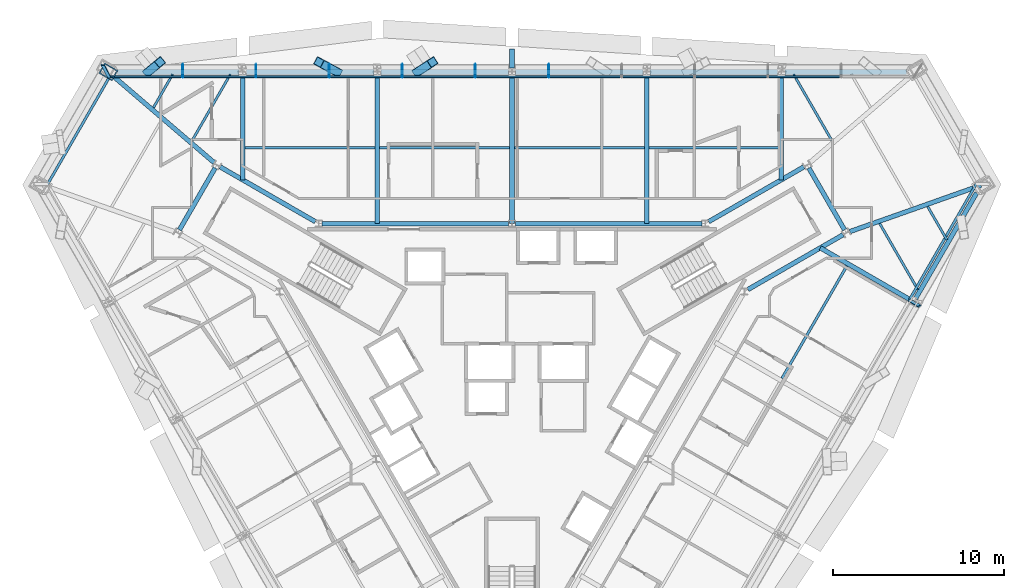
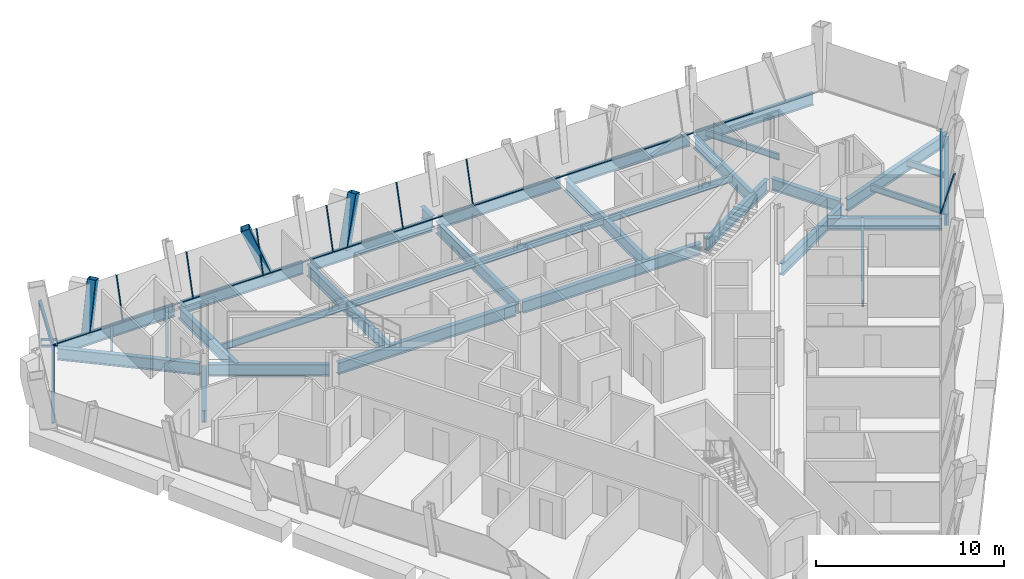
# One storey, part 4 of 13: 33 beams, 24 members, 3 elements without a shape of their own.
"""IFC4 building model written with IfcOpenShell, lengths in metres."""

from ifc_helpers import new_model, si_unit, direction, frame, origin, origin_2d, place, context, subcontext, project, spatial, rectangle, hollow_rectangle, i_section, extrude, material, material_profile, profile_set, type_object, element, aggregate, save


model = new_model("IFC4")

# Units and contexts
model_context = context("Model", 3, precision=1e-05, world=origin(), true_north=direction((0.0, 1.0)))
body_context = subcontext(model_context, "Body", "Model", "MODEL_VIEW")
ifc_project = project(units=[si_unit("LENGTHUNIT", "METRE"), si_unit("AREAUNIT", "SQUARE_METRE"), si_unit("VOLUMEUNIT", "CUBIC_METRE"), si_unit("PLANEANGLEUNIT", "RADIAN"), si_unit("MASSUNIT", "GRAM", prefix="KILO")], contexts=[model_context])

# Site, building, storey
site_placement = place(None, origin())
site = spatial("IfcSite", under=ifc_project, at=site_placement, CompositionType="ELEMENT")
building_placement = place(site_placement, origin())
building = spatial("IfcBuilding", under=site, at=building_placement, Name="Verrane Prism Tower", CompositionType="ELEMENT")
storey_placement = place(building_placement, frame((0.0, 0.0, 100.0)))
storey = spatial("IfcBuildingStorey", under=building, at=storey_placement, Name="L23", CompositionType="ELEMENT", Elevation=100.0)

# Beams
ifc_material_1 = material(Name="Steel A992", Category="steel")
ifc_material_profile_1 = material_profile(ifc_material_1, i_section(OverallWidth=0.2666015625, OverallDepth=0.7568359375, WebThickness=0.013916015625, FlangeThickness=0.019287109375, FilletRadius=0.0166015625, at=origin_2d()), Name="W30x108")
ifc_profile_set_1 = profile_set([ifc_material_profile_1], Name="Steel A992")
beam_type_1 = type_object("IfcBeamType", Name="Core ring girder W30x108", PredefinedType="BEAM", material=ifc_profile_set_1)
beam_1_placement = place(storey_placement, frame((13.830810546875, 5.335693359375, -0.62841796875), z_axis=(0.866455532004, 0.499254254924, 0.0), x_axis=(-0.499254254924, 0.866455532004, 0.0)))
element("IfcBeam", 1, at=beam_1_placement, inside=storey, type_object=beam_type_1, Name="Core ring girder L23", PredefinedType="BEAM", context=body_context, shape_type="SweptSolid", body=[
    extrude(i_section(OverallWidth=0.2666015625, OverallDepth=0.7568359375, WebThickness=0.013916015625, FlangeThickness=0.019287109375, FilletRadius=0.0166015625, at=origin_2d()), origin(), (0.0, 0.0, 1.0), 6.441162109375),
])
beam_2_placement = place(storey_placement, frame((19.4970703125, 8.838134765625, -0.62841796875), z_axis=(-0.500367003619, 0.865813410435, 0.0), x_axis=(-0.865813410435, -0.500367003619, 0.0)))
element("IfcBeam", 2, at=beam_2_placement, inside=storey, type_object=beam_type_1, Name="Core ring girder L23", PredefinedType="BEAM", context=body_context, shape_type="SweptSolid", body=[
    extrude(i_section(OverallWidth=0.2666015625, OverallDepth=0.7568359375, WebThickness=0.013916015625, FlangeThickness=0.019287109375, FilletRadius=0.0166015625, at=origin_2d()), origin(), (0.0, 0.0, 1.0), 4.185302734375),
])
beam_3_placement = place(storey_placement, frame((17.11181640625, 12.531494140625, -0.62841796875), z_axis=(-0.866455532004, -0.499254254924, 0.0), x_axis=(0.499254254924, -0.866455532004, 0.0)))
element("IfcBeam", 3, at=beam_3_placement, inside=storey, type_object=beam_type_1, Name="Core ring girder L23", PredefinedType="BEAM", context=body_context, shape_type="SweptSolid", body=[
    extrude(i_section(OverallWidth=0.2666015625, OverallDepth=0.7568359375, WebThickness=0.013916015625, FlangeThickness=0.019287109375, FilletRadius=0.0166015625, at=origin_2d()), origin(), (0.0, 0.0, 1.0), 6.441162109375),
])
for number, where, z_axis, x_axis, name in (
    (4, (11.12939453125, 9.199951171875, -0.62841796875), (-1.0, 0.0, 0.0), (0.0, -1.0, 0.0), "Core ring girder L23"),
    (5, (-0.20068359375, 9.199951171875, -0.62841796875), (-1.0, 0.0, 0.0), (0.0, -1.0, 0.0), "Core ring girder L23"),
):
    element("IfcBeam", number, at=place(storey_placement, frame(where, z_axis=z_axis, x_axis=x_axis)), inside=storey, type_object=beam_type_1, Name=name, PredefinedType="BEAM", context=body_context, shape_type="SweptSolid", body=[
        extrude(i_section(OverallWidth=0.2666015625, OverallDepth=0.7568359375, WebThickness=0.013916015625, FlangeThickness=0.019287109375, FilletRadius=0.0166015625, at=origin_2d()), origin(), (0.0, 0.0, 1.0), 10.9287109375),
    ])
beam_4_placement = place(storey_placement, frame((-11.53076171875, 9.315673828125, -0.62841796875), z_axis=(-0.866455532004, 0.499254254924, 0.0), x_axis=(-0.499254254924, -0.866455532004, 0.0)))
element("IfcBeam", 6, at=beam_4_placement, inside=storey, type_object=beam_type_1, Name="Core ring girder L23", PredefinedType="BEAM", context=body_context, shape_type="SweptSolid", body=[
    extrude(i_section(OverallWidth=0.2666015625, OverallDepth=0.7568359375, WebThickness=0.013916015625, FlangeThickness=0.019287109375, FilletRadius=0.0166015625, at=origin_2d()), origin(), (0.0, 0.0, 1.0), 6.441162109375),
])
beam_5_placement = place(storey_placement, frame((-17.40283203125, 12.4619140625, -0.62841796875), z_axis=(-0.500367003619, -0.865813410435, 0.0), x_axis=(0.865813410435, -0.500367003619, 0.0)))
element("IfcBeam", 7, at=beam_5_placement, inside=storey, type_object=beam_type_1, Name="Core ring girder L23", PredefinedType="BEAM", context=body_context, shape_type="SweptSolid", body=[
    extrude(i_section(OverallWidth=0.2666015625, OverallDepth=0.7568359375, WebThickness=0.013916015625, FlangeThickness=0.019287109375, FilletRadius=0.0166015625, at=origin_2d()), origin(), (0.0, 0.0, 1.0), 4.185302734375),
])
ifc_material_2 = material(Name="Steel A992", Category="steel")
ifc_material_profile_2 = material_profile(ifc_material_2, i_section(OverallWidth=0.2666015625, OverallDepth=0.76708984375, WebThickness=0.014892578125, FlangeThickness=0.023681640625, FilletRadius=0.0166015625, at=origin_2d()), Name="W30x124")
ifc_profile_set_2 = profile_set([ifc_material_profile_2], Name="Steel A992")
beam_type_2 = type_object("IfcBeamType", Name="Corner girder W30x124", PredefinedType="BEAM", material=ifc_profile_set_2)
beam_6_placement = place(storey_placement, frame((27.4970703125, 11.448974609375, -0.603515625), z_axis=(-0.942926196669, -0.333001783233, 0.0), x_axis=(0.333001783233, -0.942926196669, 0.0)))
element("IfcBeam", 8, at=beam_6_placement, inside=storey, type_object=beam_type_2, Name="Corner girder L23", PredefinedType="BEAM", context=body_context, shape_type="SweptSolid", body=[
    extrude(i_section(OverallWidth=0.2666015625, OverallDepth=0.76708984375, WebThickness=0.014892578125, FlangeThickness=0.023681640625, FilletRadius=0.0166015625, at=origin_2d()), origin(), (0.0, 0.0, 1.0), 8.154052734375),
])
beam_7_placement = place(storey_placement, frame((-23.3125, 17.7919921875, -0.603515625), z_axis=(0.759350631669, -0.65068165656, 0.0), x_axis=(0.65068165656, 0.759350631669, 0.0)))
element("IfcBeam", 9, at=beam_7_placement, inside=storey, type_object=beam_type_2, Name="Corner girder L23", PredefinedType="BEAM", context=body_context, shape_type="SweptSolid", body=[
    extrude(i_section(OverallWidth=0.2666015625, OverallDepth=0.76708984375, WebThickness=0.014892578125, FlangeThickness=0.023681640625, FilletRadius=0.0166015625, at=origin_2d()), origin(), (0.0, 0.0, 1.0), 7.697021484375),
])

# Members
ifc_material_3 = material(Name="Steel A1085 Grade A", Category="steel")
ifc_material_profile_3 = material_profile(ifc_material_3, hollow_rectangle(XDim=0.508056640625, YDim=0.508056640625, WallThickness=0.025390625, InnerFilletRadius=0.0126953125, OuterFilletRadius=0.0380859375, at=origin_2d()), Name="HSS20x20x1")
ifc_profile_set_3 = profile_set([ifc_material_profile_3], Name="Steel A1085 Grade A")
member_type_1 = type_object("IfcMemberType", Name="Facade brace HSS20x20x1", PredefinedType="BRACE", material=ifc_profile_set_3)
member_1_placement = place(storey_placement, frame((-5.548095703125, 18.090087890625, -0.24267578125), z_axis=(0.278984551116, 0.182189307791, 0.942854536164), x_axis=(-0.546779044707, 0.837276941202, 0.0)))
element("IfcMember", 10, at=member_1_placement, inside=storey, type_object=member_type_1, Name="Facade brace N3 L23", PredefinedType="BRACE", context=body_context, shape_type="SweptSolid", body=[
    extrude(hollow_rectangle(XDim=0.508056640625, YDim=0.508056640625, WallThickness=0.025390625, InnerFilletRadius=0.0126953125, OuterFilletRadius=0.0380859375, at=origin_2d()), origin(), (0.0, 0.0, 1.0), 3.190673828125),
])
member_2_placement = place(storey_placement, frame((-10.24951171875, 18.090087890625, -0.24267578125), z_axis=(-0.329916361987, 0.179099602802, 0.926864891108), x_axis=(-0.477096284825, -0.87885103118, 0.0)))
element("IfcMember", 11, at=member_2_placement, inside=storey, type_object=member_type_1, Name="Facade brace N4 L23", PredefinedType="BRACE", context=body_context, shape_type="SweptSolid", body=[
    extrude(hollow_rectangle(XDim=0.508056640625, YDim=0.508056640625, WallThickness=0.025390625, InnerFilletRadius=0.0126953125, OuterFilletRadius=0.0380859375, at=origin_2d()), origin(), (0.0, 0.0, 1.0), 3.24560546875),
])
member_3_placement = place(storey_placement, frame((-21.339599609375, 18.090087890625, -0.24267578125), z_axis=(0.22293136948, 0.18494759259, 0.957129036493), x_axis=(-0.638494749561, 0.769626178598, 0.0)))
element("IfcMember", 12, at=member_3_placement, inside=storey, type_object=member_type_1, Name="Facade brace N5 L23", PredefinedType="BRACE", context=body_context, shape_type="SweptSolid", body=[
    extrude(hollow_rectangle(XDim=0.508056640625, YDim=0.508056640625, WallThickness=0.025390625, InnerFilletRadius=0.0126953125, OuterFilletRadius=0.0380859375, at=origin_2d()), origin(), (0.0, 0.0, 1.0), 3.14306640625),
])

# Beams
ifc_material_4 = material(Name="Steel A992", Category="steel")
ifc_material_profile_4 = material_profile(ifc_material_4, i_section(OverallWidth=0.140380859375, OverallDepth=0.40380859375, WebThickness=0.007080078125, FlangeThickness=0.01123046875, FilletRadius=0.01025390625, at=origin_2d()), Name="W16x31")
ifc_profile_set_4 = profile_set([ifc_material_profile_4], Name="Steel A992")
beam_type_3 = type_object("IfcBeamType", Name="Floor beam W16x31", PredefinedType="BEAM", material=ifc_profile_set_4)
for number, where, z_axis, x_axis, name in (
    (13, (18.756591796875, 14.06396484375, -0.36181640625), (-0.499988891082, 0.866031817426, 0.0), (-0.866031817426, -0.499988891082, 0.0), "Floor beam L23"),
    (14, (-18.756591796875, 14.06396484375, -0.36181640625), (0.499988891082, 0.866031817426, 0.0), (-0.866031817426, 0.499988891082, 0.0), "Floor beam L23"),
):
    element("IfcBeam", number, at=place(storey_placement, frame(where, z_axis=z_axis, x_axis=x_axis)), inside=storey, type_object=beam_type_3, Name=name, PredefinedType="BEAM", context=body_context, shape_type="SweptSolid", body=[
        extrude(i_section(OverallWidth=0.140380859375, OverallDepth=0.40380859375, WebThickness=0.007080078125, FlangeThickness=0.01123046875, FilletRadius=0.01025390625, at=origin_2d()), origin(), (0.0, 0.0, 1.0), 4.49462890625),
    ])
beam_8_placement = place(storey_placement, frame((-21.019775390625, 16.00341796875, -0.36181640625), z_axis=(0.500016062875, 0.866016129681, 0.0), x_axis=(-0.866016129681, 0.500016062875, 0.0)))
element("IfcBeam", 15, at=beam_8_placement, inside=storey, type_object=beam_type_3, Name="Floor beam L23", PredefinedType="BEAM", context=body_context, shape_type="SweptSolid", body=[
    extrude(i_section(OverallWidth=0.140380859375, OverallDepth=0.40380859375, WebThickness=0.007080078125, FlangeThickness=0.01123046875, FilletRadius=0.01025390625, at=origin_2d()), origin(), (0.0, 0.0, 1.0), 2.25537109375),
])
beam_9_placement = place(storey_placement, frame((25.49658203125, 8.25244140625, -0.36181640625), z_axis=(-0.499997670926, 0.866026748472, 0.0), x_axis=(-0.866026748472, -0.499997670926, 0.0)))
element("IfcBeam", 16, at=beam_9_placement, inside=storey, type_object=beam_type_3, Name="Floor beam L23", PredefinedType="BEAM", context=body_context, shape_type="SweptSolid", body=[
    extrude(i_section(OverallWidth=0.140380859375, OverallDepth=0.40380859375, WebThickness=0.007080078125, FlangeThickness=0.01123046875, FilletRadius=0.01025390625, at=origin_2d()), origin(), (0.0, 0.0, 1.0), 2.25244140625),
])
beam_10_placement = place(storey_placement, frame((23.80126953125, 5.321044921875, -0.36181640625), z_axis=(-0.500004878216, 0.866022587327, 0.0), x_axis=(-0.866022587327, -0.500004878216, 0.0)))
element("IfcBeam", 17, at=beam_10_placement, inside=storey, type_object=beam_type_3, Name="Floor beam L23", PredefinedType="BEAM", context=body_context, shape_type="SweptSolid", body=[
    extrude(i_section(OverallWidth=0.140380859375, OverallDepth=0.40380859375, WebThickness=0.007080078125, FlangeThickness=0.01123046875, FilletRadius=0.01025390625, at=origin_2d()), origin(), (0.0, 0.0, 1.0), 4.48974609375),
])
ifc_material_5 = material(Name="Steel A992", Category="steel")
ifc_material_profile_5 = material_profile(ifc_material_5, i_section(OverallWidth=0.15234375, OverallDepth=0.449462890625, WebThickness=0.007568359375, FlangeThickness=0.0107421875, FilletRadius=0.01025390625, at=origin_2d()), Name="W18x35")
ifc_profile_set_5 = profile_set([ifc_material_profile_5], Name="Steel A992")
beam_type_4 = type_object("IfcBeamType", Name="Floor beam W18x35", PredefinedType="BEAM", material=ifc_profile_set_5)
for number, where, z_axis, x_axis, name in (
    (18, (8.0234375, 13.64501953125, -0.384765625), (1.0, 0.0, 0.0), (0.0, 1.0, 0.0), "Floor beam L23"),
    (19, (0.133544921875, 13.64501953125, -0.384765625), (1.0, 0.0, 0.0), (0.0, 1.0, 0.0), "Floor beam L23"),
    (20, (-7.756591796875, 13.64501953125, -0.384765625), (1.0, 0.0, 0.0), (0.0, 1.0, 0.0), "Floor beam L23"),
    (21, (-15.646484375, 13.64501953125, -0.384765625), (1.0, 0.0, 0.0), (0.0, 1.0, 0.0), "Floor beam L23"),
):
    element("IfcBeam", number, at=place(storey_placement, frame(where, z_axis=z_axis, x_axis=x_axis)), inside=storey, type_object=beam_type_4, Name=name, PredefinedType="BEAM", context=body_context, shape_type="SweptSolid", body=[
        extrude(i_section(OverallWidth=0.15234375, OverallDepth=0.449462890625, WebThickness=0.007568359375, FlangeThickness=0.0107421875, FilletRadius=0.01025390625, at=origin_2d()), origin(), (0.0, 0.0, 1.0), 7.623046875),
    ])
beam_11_placement = place(storey_placement, frame((15.82666015625, 0.130615234375, -0.384765625), z_axis=(0.49997412077, 0.866040344649, 0.0), x_axis=(-0.866040344649, 0.49997412077, 0.0)))
element("IfcBeam", 22, at=beam_11_placement, inside=storey, type_object=beam_type_4, Name="Floor beam L23", PredefinedType="BEAM", context=body_context, shape_type="SweptSolid", body=[
    extrude(i_section(OverallWidth=0.15234375, OverallDepth=0.449462890625, WebThickness=0.007568359375, FlangeThickness=0.0107421875, FilletRadius=0.01025390625, at=origin_2d()), origin(), (0.0, 0.0, 1.0), 7.61376953125),
])

# Member
ifc_material_6 = material(Name="Steel A572 Grade 50", Category="steel")
ifc_material_profile_6 = material_profile(ifc_material_6, hollow_rectangle(XDim=0.699951171875, YDim=0.89990234375, WallThickness=0.06494140625, at=origin_2d()), Name="BOX 900x700x65")
ifc_profile_set_6 = profile_set([ifc_material_profile_6], Name="Steel A572 Grade 50")
member_type_2 = type_object("IfcMemberType", Name="Kink node BOX 900x700x65", PredefinedType="COLLAR", material=ifc_profile_set_6)
member_4_placement = place(storey_placement, frame((-23.664306640625, 18.097412109375, -0.074951171875), z_axis=(0.0, 0.0, 1.0), x_axis=(0.5, 0.866025403784, 0.0)))
element("IfcMember", 23, at=member_4_placement, inside=storey, type_object=member_type_2, Name="Kink node MC3 L23", PredefinedType="COLLAR", context=body_context, shape_type="SweptSolid", body=[
    extrude(hollow_rectangle(XDim=0.699951171875, YDim=0.89990234375, WallThickness=0.06494140625, at=origin_2d()), origin(), (0.0, 0.0, 1.0), 0.14990234375),
])

# Curtain wall, members
ifc_material_7 = material(Name="Aluminium framed insulated glazing", Category="aluminium")
curtain_wall_type_1 = type_object("IfcCurtainWallType", Name="Curtain wall CW-C 4200 module", PredefinedType="NOTDEFINED", material=ifc_material_7)
curtain_wall_1_placement = place(storey_placement, origin())
curtain_wall_1 = element("IfcCurtainWall", 24, at=curtain_wall_1_placement, inside=storey, type_object=curtain_wall_type_1, Name="Glazed curtain wall north face L23", PredefinedType="NOTDEFINED")
ifc_material_8 = material(Name="Aluminium alloy 6063-T6", Category="aluminium")
ifc_material_profile_7 = material_profile(ifc_material_8, rectangle(XDim=0.139892578125, YDim=0.050048828125, at=origin_2d()), Name="Mullion 50x140 aluminium")
ifc_profile_set_7 = profile_set([ifc_material_profile_7], Name="Aluminium alloy 6063-T6")
member_type_3 = type_object("IfcMemberType", Name="Mullion 50x140 aluminium", PredefinedType="MULLION", material=ifc_profile_set_7)
member_5_placement = place(storey_placement, frame((2.14453125, 17.81103515625, 0.0), z_axis=(0.0, 0.25876916976, 0.965939188967), x_axis=(0.0, 0.965939188967, -0.25876916976)))
member_5 = element("IfcMember", 25, at=member_5_placement, type_object=member_type_3, Name="CW21.2 mullion 6", PredefinedType="MULLION", context=body_context, shape_type="SweptSolid", body=[
    extrude(rectangle(XDim=0.139892578125, YDim=0.050048828125, at=origin_2d()), origin(), (0.0, 0.0, 1.0), 2.704833984375),
])
member_6_placement = place(storey_placement, frame((-2.14453125, 17.81103515625, 0.0), z_axis=(0.0, 0.25876916976, 0.965939188967), x_axis=(0.0, 0.965939188967, -0.25876916976)))
member_6 = element("IfcMember", 26, at=member_6_placement, type_object=member_type_3, Name="CW21.2 mullion 7", PredefinedType="MULLION", context=body_context, shape_type="SweptSolid", body=[
    extrude(rectangle(XDim=0.139892578125, YDim=0.050048828125, at=origin_2d()), origin(), (0.0, 0.0, 1.0), 2.704833984375),
])
member_7_placement = place(storey_placement, frame((-6.43359375, 17.81103515625, 0.0), z_axis=(0.0, 0.25876916976, 0.965939188967), x_axis=(0.0, 0.965939188967, -0.25876916976)))
member_7 = element("IfcMember", 27, at=member_7_placement, type_object=member_type_3, Name="CW21.2 mullion 8", PredefinedType="MULLION", context=body_context, shape_type="SweptSolid", body=[
    extrude(rectangle(XDim=0.139892578125, YDim=0.050048828125, at=origin_2d()), origin(), (0.0, 0.0, 1.0), 2.704833984375),
])
member_8_placement = place(storey_placement, frame((-10.72265625, 17.81103515625, 0.0), z_axis=(0.0, 0.25876916976, 0.965939188967), x_axis=(0.0, 0.965939188967, -0.25876916976)))
member_8 = element("IfcMember", 28, at=member_8_placement, type_object=member_type_3, Name="CW21.2 mullion 9", PredefinedType="MULLION", context=body_context, shape_type="SweptSolid", body=[
    extrude(rectangle(XDim=0.139892578125, YDim=0.050048828125, at=origin_2d()), origin(), (0.0, 0.0, 1.0), 2.704833984375),
])
member_9_placement = place(storey_placement, frame((-15.01171875, 17.81103515625, 0.0), z_axis=(0.0, 0.25876916976, 0.965939188967), x_axis=(0.0, 0.965939188967, -0.25876916976)))
member_9 = element("IfcMember", 29, at=member_9_placement, type_object=member_type_3, Name="CW21.2 mullion 10", PredefinedType="MULLION", context=body_context, shape_type="SweptSolid", body=[
    extrude(rectangle(XDim=0.139892578125, YDim=0.050048828125, at=origin_2d()), origin(), (0.0, 0.0, 1.0), 2.704833984375),
])
member_10_placement = place(storey_placement, frame((-19.30078125, 17.81103515625, 0.0), z_axis=(0.0, 0.25876916976, 0.965939188967), x_axis=(0.0, 0.965939188967, -0.25876916976)))
member_10 = element("IfcMember", 30, at=member_10_placement, type_object=member_type_3, Name="CW21.2 mullion 11", PredefinedType="MULLION", context=body_context, shape_type="SweptSolid", body=[
    extrude(rectangle(XDim=0.139892578125, YDim=0.050048828125, at=origin_2d()), origin(), (0.0, 0.0, 1.0), 2.704833984375),
])

# Curtain wall, member
ifc_material_9 = material(Name="Aluminium framed insulated glazing", Category="aluminium")
curtain_wall_type_2 = type_object("IfcCurtainWallType", Name="Curtain wall CW-A 8400 module", PredefinedType="NOTDEFINED", material=ifc_material_9)
curtain_wall_2_placement = place(storey_placement, origin())
curtain_wall_2 = element("IfcCurtainWall", 31, at=curtain_wall_2_placement, inside=storey, type_object=curtain_wall_type_2, Name="Glazed curtain wall north-west corner L23", PredefinedType="NOTDEFINED")
ifc_material_10 = material(Name="Aluminium alloy 6063-T6", Category="aluminium")
ifc_material_profile_8 = material_profile(ifc_material_10, rectangle(XDim=0.199951171875, YDim=0.070068359375, at=origin_2d()), Name="Mullion 70x200 aluminium")
ifc_profile_set_8 = profile_set([ifc_material_profile_8], Name="Aluminium alloy 6063-T6")
member_type_4 = type_object("IfcMemberType", Name="Mullion 70x200 aluminium", PredefinedType="MULLION", material=ifc_profile_set_8)
member_11_placement = place(storey_placement, frame((-23.607177734375, 17.78076171875, 0.0), z_axis=(-0.141208004403, 0.266468858782, 0.953443572946), x_axis=(-0.988441523819, 0.01572169736, -0.150785218843)))
member_11 = element("IfcMember", 32, at=member_11_placement, type_object=member_type_4, Name="CW21.3 mullion 1", PredefinedType="MULLION", context=body_context, shape_type="SweptSolid", body=[
    extrude(rectangle(XDim=0.199951171875, YDim=0.070068359375, at=origin_2d()), origin(), (0.0, 0.0, 1.0), 2.740478515625),
])

curtain_wall_3_placement = place(storey_placement, origin())
curtain_wall_3 = element("IfcCurtainWall", 33, at=curtain_wall_3_placement, inside=storey, type_object=curtain_wall_type_2, Name="Glazed curtain wall south-east face L23", PredefinedType="NOTDEFINED")
member_12_placement = place(storey_placement, frame((23.2880859375, 4.714111328125, 0.0), z_axis=(0.224108381383, -0.129428682603, 0.965931493178), x_axis=(-0.85134056199, -0.508404548694, 0.12939884999)))
member_12 = element("IfcMember", 34, at=member_12_placement, type_object=member_type_4, Name="CW21.6 mullion 6", PredefinedType="MULLION", context=body_context, shape_type="SweptSolid", body=[
    extrude(rectangle(XDim=0.199951171875, YDim=0.070068359375, at=origin_2d()), origin(), (0.0, 0.0, 1.0), 2.704833984375),
])

# Beams
ifc_material_11 = material(Name="Steel A992", Category="steel")
ifc_material_profile_9 = material_profile(ifc_material_11, i_section(OverallWidth=0.2666015625, OverallDepth=0.76708984375, WebThickness=0.014892578125, FlangeThickness=0.023681640625, FilletRadius=0.0166015625, at=origin_2d()), Name="W30x124")
ifc_profile_set_9 = profile_set([ifc_material_profile_9], Name="Steel A992")
beam_type_5 = type_object("IfcBeamType", Name="Radial girder W30x124", PredefinedType="BEAM", material=ifc_profile_set_9)
beam_12_placement = place(storey_placement, frame((15.780029296875, 17.8525390625, -0.603515625), z_axis=(0.0, -1.0, 0.0), x_axis=(1.0, 0.0, 0.0)))
element("IfcBeam", 35, at=beam_12_placement, inside=storey, type_object=beam_type_5, Name="Radial girder L23", PredefinedType="BEAM", context=body_context, shape_type="SweptSolid", body=[
    extrude(i_section(OverallWidth=0.2666015625, OverallDepth=0.76708984375, WebThickness=0.014892578125, FlangeThickness=0.023681640625, FilletRadius=0.0166015625, at=origin_2d()), origin(), (0.0, 0.0, 1.0), 6.08837890625),
])
for number, where, z_axis, x_axis, name in (
    (36, (7.889892578125, 17.8525390625, -0.603515625), (0.0, -1.0, 0.0), (1.0, 0.0, 0.0), "Radial girder L23"),
    (37, (0.0, 17.8525390625, -0.603515625), (0.0, -1.0, 0.0), (1.0, 0.0, 0.0), "Radial girder L23"),
    (38, (-7.889892578125, 17.8525390625, -0.603515625), (0.0, -1.0, 0.0), (1.0, 0.0, 0.0), "Radial girder L23"),
):
    element("IfcBeam", number, at=place(storey_placement, frame(where, z_axis=z_axis, x_axis=x_axis)), inside=storey, type_object=beam_type_5, Name=name, PredefinedType="BEAM", context=body_context, shape_type="SweptSolid", body=[
        extrude(i_section(OverallWidth=0.2666015625, OverallDepth=0.76708984375, WebThickness=0.014892578125, FlangeThickness=0.023681640625, FilletRadius=0.0166015625, at=origin_2d()), origin(), (0.0, 0.0, 1.0), 8.652587890625),
    ])
beam_13_placement = place(storey_placement, frame((-15.780029296875, 17.8525390625, -0.603515625), z_axis=(0.0, -1.0, 0.0), x_axis=(1.0, 0.0, 0.0)))
element("IfcBeam", 39, at=beam_13_placement, inside=storey, type_object=beam_type_5, Name="Radial girder L23", PredefinedType="BEAM", context=body_context, shape_type="SweptSolid", body=[
    extrude(i_section(OverallWidth=0.2666015625, OverallDepth=0.76708984375, WebThickness=0.014892578125, FlangeThickness=0.023681640625, FilletRadius=0.0166015625, at=origin_2d()), origin(), (0.0, 0.0, 1.0), 6.08837890625),
])
beam_14_placement = place(storey_placement, frame((23.34423828125, 4.73876953125, -0.603515625), z_axis=(-0.866034580849, 0.49998410452, 0.0), x_axis=(-0.49998410452, -0.866034580849, 0.0)))
element("IfcBeam", 40, at=beam_14_placement, inside=storey, type_object=beam_type_5, Name="Radial girder L23", PredefinedType="BEAM", context=body_context, shape_type="SweptSolid", body=[
    extrude(i_section(OverallWidth=0.2666015625, OverallDepth=0.76708984375, WebThickness=0.014892578125, FlangeThickness=0.023681640625, FilletRadius=0.0166015625, at=origin_2d()), origin(), (0.0, 0.0, 1.0), 6.084716796875),
])
beam_15_placement = place(storey_placement, frame((0.0, 18.323486328125, -0.603515625), z_axis=(0.0, 1.0, 0.0), x_axis=(-1.0, 0.0, 0.0)))
element("IfcBeam", 41, at=beam_15_placement, inside=storey, type_object=beam_type_5, Name="Cantilever girder L23", PredefinedType="BEAM", context=body_context, shape_type="SweptSolid", body=[
    extrude(i_section(OverallWidth=0.2666015625, OverallDepth=0.76708984375, WebThickness=0.014892578125, FlangeThickness=0.023681640625, FilletRadius=0.0166015625, at=origin_2d()), origin(), (0.0, 0.0, 1.0), 1.12841796875),
])
ifc_material_12 = material(Name="Steel A992", Category="steel")
ifc_material_profile_10 = material_profile(ifc_material_12, i_section(OverallWidth=0.2666015625, OverallDepth=0.7568359375, WebThickness=0.013916015625, FlangeThickness=0.019287109375, FilletRadius=0.0166015625, at=origin_2d()), Name="W30x108")
ifc_profile_set_10 = profile_set([ifc_material_profile_10], Name="Steel A992")
beam_type_6 = type_object("IfcBeamType", Name="Spandrel beam W30x108", PredefinedType="SPANDREL", material=ifc_profile_set_10)
beam_16_placement = place(storey_placement, frame((23.140380859375, 18.090087890625, -0.53857421875), z_axis=(-1.0, 0.0, 0.0), x_axis=(0.0, -1.0, 0.0)))
element("IfcBeam", 42, at=beam_16_placement, inside=storey, type_object=beam_type_6, Name="Spandrel beam L23", PredefinedType="SPANDREL", context=body_context, shape_type="SweptSolid", body=[
    extrude(i_section(OverallWidth=0.2666015625, OverallDepth=0.7568359375, WebThickness=0.013916015625, FlangeThickness=0.019287109375, FilletRadius=0.0166015625, at=origin_2d()), origin(), (0.0, 0.0, 1.0), 7.148193359375),
])
for number, where, z_axis, x_axis, name in (
    (43, (15.56787109375, 18.090087890625, -0.53857421875), (-1.0, 0.0, 0.0), (0.0, -1.0, 0.0), "Spandrel beam L23"),
    (44, (7.677978515625, 18.090087890625, -0.53857421875), (-1.0, 0.0, 0.0), (0.0, -1.0, 0.0), "Spandrel beam L23"),
    (45, (-0.212158203125, 18.090087890625, -0.53857421875), (-1.0, 0.0, 0.0), (0.0, -1.0, 0.0), "Spandrel beam L23"),
    (46, (-8.10205078125, 18.090087890625, -0.53857421875), (-1.0, 0.0, 0.0), (0.0, -1.0, 0.0), "Spandrel beam L23"),
):
    element("IfcBeam", number, at=place(storey_placement, frame(where, z_axis=z_axis, x_axis=x_axis)), inside=storey, type_object=beam_type_6, Name=name, PredefinedType="SPANDREL", context=body_context, shape_type="SweptSolid", body=[
        extrude(i_section(OverallWidth=0.2666015625, OverallDepth=0.7568359375, WebThickness=0.013916015625, FlangeThickness=0.019287109375, FilletRadius=0.0166015625, at=origin_2d()), origin(), (0.0, 0.0, 1.0), 7.4658203125),
    ])
beam_17_placement = place(storey_placement, frame((-15.9921875, 18.090087890625, -0.53857421875), z_axis=(-1.0, 0.0, 0.0), x_axis=(0.0, -1.0, 0.0)))
element("IfcBeam", 47, at=beam_17_placement, inside=storey, type_object=beam_type_6, Name="Spandrel beam L23", PredefinedType="SPANDREL", context=body_context, shape_type="SweptSolid", body=[
    extrude(i_section(OverallWidth=0.2666015625, OverallDepth=0.7568359375, WebThickness=0.013916015625, FlangeThickness=0.019287109375, FilletRadius=0.0166015625, at=origin_2d()), origin(), (0.0, 0.0, 1.0), 7.148193359375),
])
beam_18_placement = place(storey_placement, frame((23.65625, 4.8037109375, -0.53857421875), z_axis=(0.50063155155, 0.865660470157, 0.0), x_axis=(-0.865660470157, 0.50063155155, 0.0)))
element("IfcBeam", 48, at=beam_18_placement, inside=storey, type_object=beam_type_6, Name="Spandrel beam L23", PredefinedType="SPANDREL", context=body_context, shape_type="SweptSolid", body=[
    extrude(i_section(OverallWidth=0.2666015625, OverallDepth=0.7568359375, WebThickness=0.013916015625, FlangeThickness=0.019287109375, FilletRadius=0.0166015625, at=origin_2d()), origin(), (0.0, 0.0, 1.0), 7.158447265625),
])

# Member
ifc_material_13 = material(Name="Aluminium alloy 6063-T6", Category="aluminium")
ifc_material_profile_11 = material_profile(ifc_material_13, rectangle(XDim=0.10009765625, YDim=0.050048828125, at=origin_2d()), Name="Transom 50x100 aluminium")
ifc_profile_set_11 = profile_set([ifc_material_profile_11], Name="Aluminium alloy 6063-T6")
member_type_5 = type_object("IfcMemberType", Name="Transom 50x100 aluminium", PredefinedType="USERDEFINED", material=ifc_profile_set_11)
member_13_placement = place(storey_placement, frame((19.275634765625, 17.81103515625, 0.02490234375), z_axis=(-1.0, 0.0, 0.0), x_axis=(0.0, -1.0, 0.0)))
member_13 = element("IfcMember", 49, at=member_13_placement, type_object=member_type_5, Name="CW21.2 transom 2", ObjectType="TRANSOM", PredefinedType="USERDEFINED", context=body_context, shape_type="SweptSolid", body=[
    extrude(rectangle(XDim=0.10009765625, YDim=0.050048828125, at=origin_2d()), origin(), (0.0, 0.0, 1.0), 4.239013671875),
])

member_14_placement = place(storey_placement, frame((14.986572265625, 17.81103515625, 0.02490234375), z_axis=(-1.0, 0.0, 0.0), x_axis=(0.0, -1.0, 0.0)))
member_14 = element("IfcMember", 50, at=member_14_placement, type_object=member_type_5, Name="CW21.2 transom 3", ObjectType="TRANSOM", PredefinedType="USERDEFINED", context=body_context, shape_type="SweptSolid", body=[
    extrude(rectangle(XDim=0.10009765625, YDim=0.050048828125, at=origin_2d()), origin(), (0.0, 0.0, 1.0), 4.239013671875),
])

member_15_placement = place(storey_placement, frame((10.697509765625, 17.81103515625, 0.02490234375), z_axis=(-1.0, 0.0, 0.0), x_axis=(0.0, -1.0, 0.0)))
member_15 = element("IfcMember", 51, at=member_15_placement, type_object=member_type_5, Name="CW21.2 transom 4", ObjectType="TRANSOM", PredefinedType="USERDEFINED", context=body_context, shape_type="SweptSolid", body=[
    extrude(rectangle(XDim=0.10009765625, YDim=0.050048828125, at=origin_2d()), origin(), (0.0, 0.0, 1.0), 4.239013671875),
])

member_16_placement = place(storey_placement, frame((6.408447265625, 17.81103515625, 0.02490234375), z_axis=(-1.0, 0.0, 0.0), x_axis=(0.0, -1.0, 0.0)))
member_16 = element("IfcMember", 52, at=member_16_placement, type_object=member_type_5, Name="CW21.2 transom 5", ObjectType="TRANSOM", PredefinedType="USERDEFINED", context=body_context, shape_type="SweptSolid", body=[
    extrude(rectangle(XDim=0.10009765625, YDim=0.050048828125, at=origin_2d()), origin(), (0.0, 0.0, 1.0), 4.239013671875),
])

member_17_placement = place(storey_placement, frame((2.11962890625, 17.81103515625, 0.02490234375), z_axis=(-1.0, 0.0, 0.0), x_axis=(0.0, -1.0, 0.0)))
member_17 = element("IfcMember", 53, at=member_17_placement, type_object=member_type_5, Name="CW21.2 transom 6", ObjectType="TRANSOM", PredefinedType="USERDEFINED", context=body_context, shape_type="SweptSolid", body=[
    extrude(rectangle(XDim=0.10009765625, YDim=0.050048828125, at=origin_2d()), origin(), (0.0, 0.0, 1.0), 4.2392578125),
])

member_18_placement = place(storey_placement, frame((-2.16943359375, 17.81103515625, 0.02490234375), z_axis=(-1.0, 0.0, 0.0), x_axis=(0.0, -1.0, 0.0)))
member_18 = element("IfcMember", 54, at=member_18_placement, type_object=member_type_5, Name="CW21.2 transom 7", ObjectType="TRANSOM", PredefinedType="USERDEFINED", context=body_context, shape_type="SweptSolid", body=[
    extrude(rectangle(XDim=0.10009765625, YDim=0.050048828125, at=origin_2d()), origin(), (0.0, 0.0, 1.0), 4.239013671875),
])

member_19_placement = place(storey_placement, frame((-6.45849609375, 17.81103515625, 0.02490234375), z_axis=(-1.0, 0.0, 0.0), x_axis=(0.0, -1.0, 0.0)))
member_19 = element("IfcMember", 55, at=member_19_placement, type_object=member_type_5, Name="CW21.2 transom 8", ObjectType="TRANSOM", PredefinedType="USERDEFINED", context=body_context, shape_type="SweptSolid", body=[
    extrude(rectangle(XDim=0.10009765625, YDim=0.050048828125, at=origin_2d()), origin(), (0.0, 0.0, 1.0), 4.239013671875),
])

member_20_placement = place(storey_placement, frame((-10.74755859375, 17.81103515625, 0.02490234375), z_axis=(-1.0, 0.0, 0.0), x_axis=(0.0, -1.0, 0.0)))
member_20 = element("IfcMember", 56, at=member_20_placement, type_object=member_type_5, Name="CW21.2 transom 9", ObjectType="TRANSOM", PredefinedType="USERDEFINED", context=body_context, shape_type="SweptSolid", body=[
    extrude(rectangle(XDim=0.10009765625, YDim=0.050048828125, at=origin_2d()), origin(), (0.0, 0.0, 1.0), 4.239013671875),
])

member_21_placement = place(storey_placement, frame((-15.03662109375, 17.81103515625, 0.02490234375), z_axis=(-1.0, 0.0, 0.0), x_axis=(0.0, -1.0, 0.0)))
member_21 = element("IfcMember", 57, at=member_21_placement, type_object=member_type_5, Name="CW21.2 transom 10", ObjectType="TRANSOM", PredefinedType="USERDEFINED", context=body_context, shape_type="SweptSolid", body=[
    extrude(rectangle(XDim=0.10009765625, YDim=0.050048828125, at=origin_2d()), origin(), (0.0, 0.0, 1.0), 4.239013671875),
])

member_22_placement = place(storey_placement, frame((-19.32568359375, 17.81103515625, 0.02490234375), z_axis=(-1.0, 0.0, 0.0), x_axis=(0.0, -1.0, 0.0)))
member_22 = element("IfcMember", 58, at=member_22_placement, type_object=member_type_5, Name="CW21.2 transom 11", ObjectType="TRANSOM", PredefinedType="USERDEFINED", context=body_context, shape_type="SweptSolid", body=[
    extrude(rectangle(XDim=0.10009765625, YDim=0.050048828125, at=origin_2d()), origin(), (0.0, 0.0, 1.0), 4.263916015625),
])

aggregate(curtain_wall_1, [member_5, member_6, member_7, member_8, member_9, member_10, member_13, member_14, member_15, member_16, member_17, member_18, member_19, member_20, member_21, member_22])

ifc_material_14 = material(Name="Aluminium alloy 6063-T6", Category="aluminium")
ifc_material_profile_12 = material_profile(ifc_material_14, rectangle(XDim=0.14990234375, YDim=0.070068359375, at=origin_2d()), Name="Transom 70x150 aluminium")
ifc_profile_set_12 = profile_set([ifc_material_profile_12], Name="Aluminium alloy 6063-T6")
member_type_6 = type_object("IfcMemberType", Name="Transom 70x150 aluminium", PredefinedType="USERDEFINED", material=ifc_profile_set_12)
member_23_placement = place(storey_placement, frame((-23.624755859375, 17.75048828125, 0.034912109375), z_axis=(-0.499966418554, -0.866044791173, 0.0), x_axis=(0.866044791173, -0.499966418554, 0.0)))
member_23 = element("IfcMember", 59, at=member_23_placement, type_object=member_type_6, Name="CW21.3 transom 1", ObjectType="TRANSOM", PredefinedType="USERDEFINED", context=body_context, shape_type="SweptSolid", body=[
    extrude(rectangle(XDim=0.14990234375, YDim=0.070068359375, at=origin_2d()), origin(), (0.0, 0.0, 1.0), 7.18994140625),
])

aggregate(curtain_wall_2, [member_11, member_23])

member_24_placement = place(storey_placement, frame((23.305419921875, 4.744384765625, 0.034912109375), z_axis=(0.500003221507, 0.866023543838, 0.0), x_axis=(-0.866023543838, 0.500003221507, 0.0)))
member_24 = element("IfcMember", 60, at=member_24_placement, type_object=member_type_6, Name="CW21.6 transom 6", ObjectType="TRANSOM", PredefinedType="USERDEFINED", context=body_context, shape_type="SweptSolid", body=[
    extrude(rectangle(XDim=0.14990234375, YDim=0.070068359375, at=origin_2d()), origin(), (0.0, 0.0, 1.0), 7.828125),
])

aggregate(curtain_wall_3, [member_12, member_24])

save(model, "model.ifc")
